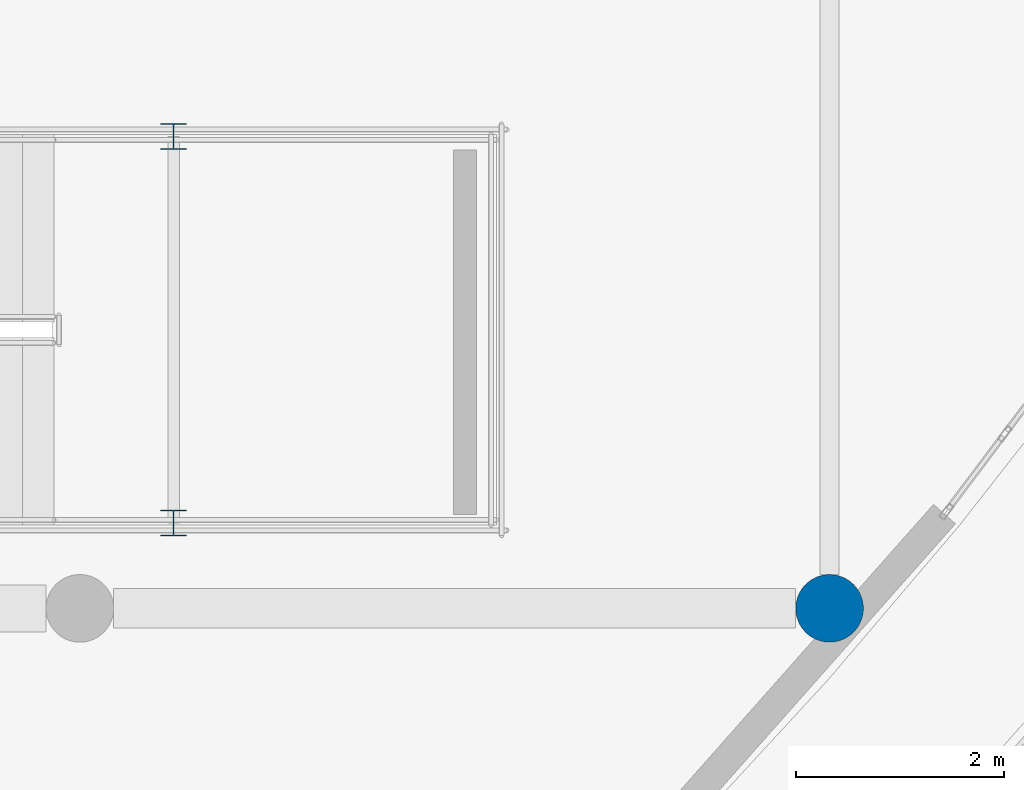
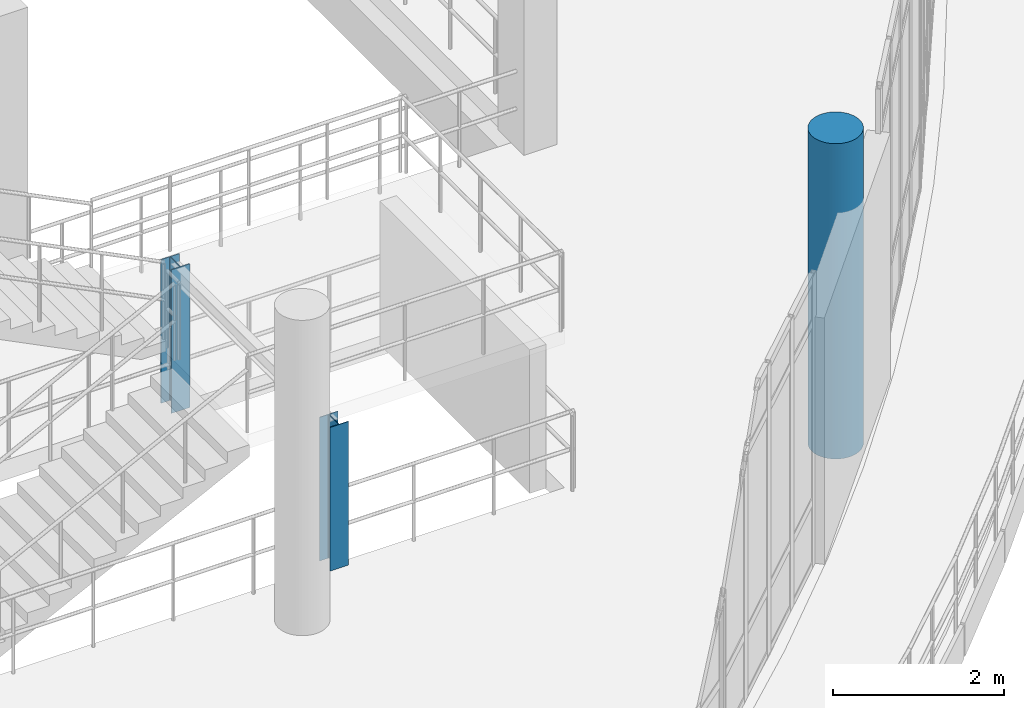
# One storey, part 4 of 124: 3 columns.
"""IFC4 building model written with IfcOpenShell, lengths in metres."""

from ifc_helpers import new_model, si_unit, direction, frame, origin, origin_2d, place, context, subcontext, project, spatial, circle, i_section, extrude, material, material_profile, profile_set, type_object, element, save


model = new_model("IFC4")

# Units and contexts
model_context = context("Model", 3, precision=1e-05, world=origin(), true_north=direction((0.0, 1.0)))
body_context = subcontext(model_context, "Body", "Model", "MODEL_VIEW")
ifc_project = project(units=[si_unit("LENGTHUNIT", "METRE"), si_unit("AREAUNIT", "SQUARE_METRE"), si_unit("VOLUMEUNIT", "CUBIC_METRE"), si_unit("PLANEANGLEUNIT", "RADIAN"), si_unit("MASSUNIT", "GRAM", prefix="KILO")], contexts=[model_context])

# Site, building, storey
site_placement = place(None, origin())
site = spatial("IfcSite", under=ifc_project, at=site_placement, CompositionType="ELEMENT")
building_placement = place(site_placement, origin())
building = spatial("IfcBuilding", under=site, at=building_placement, Name="Kalluvel Institute of Natural Sciences", CompositionType="ELEMENT")
storey_placement = place(building_placement, frame((0.0, 0.0, 9.89990234375)))
storey = spatial("IfcBuildingStorey", under=building, at=storey_placement, Name="L02", CompositionType="ELEMENT", Elevation=9.89990234375)

# Columns
ifc_material_1 = material(Name="Steel E350 Grade 350", Category="steel")
ifc_material_profile_1 = material_profile(ifc_material_1, i_section(OverallWidth=0.25, OverallDepth=0.25, WebThickness=0.0087890625, FlangeThickness=0.009765625, FilletRadius=0.010009765625, at=origin_2d()), Name="ISHB 250")
ifc_profile_set_1 = profile_set([ifc_material_profile_1], Name="Steel E350 Grade 350")
column_type_1 = type_object("IfcColumnType", Name="COL-ISHB250", PredefinedType="COLUMN", material=ifc_profile_set_1)
for number, where, z_axis, x_axis, name in (
    (1, (65.300048828125, 72.419921875, 0.0), (0.0, 0.0, 1.0), (1.0, 0.0, 0.0), "L02 Atrium feature stair landing post S"),
    (2, (65.300048828125, 76.1298828125, 0.0), (0.0, 0.0, 1.0), (1.0, 0.0, 0.0), "L02 Atrium feature stair landing post N"),
):
    element("IfcColumn", number, at=place(storey_placement, frame(where, z_axis=z_axis, x_axis=x_axis)), inside=storey, type_object=column_type_1, Name=name, PredefinedType="COLUMN", context=body_context, shape_type="SweptSolid", body=[
        extrude(i_section(OverallWidth=0.25, OverallDepth=0.25, WebThickness=0.0087890625, FlangeThickness=0.009765625, FilletRadius=0.010009765625, at=origin_2d()), origin(), (0.0, 0.0, 1.0), 2.050048828125),
    ])
ifc_material_2 = material(Name="Concrete M40", Category="concrete")
ifc_material_profile_2 = material_profile(ifc_material_2, circle(Radius=0.324951171875, at=origin_2d()), Name="RCCOL D650")
ifc_profile_set_2 = profile_set([ifc_material_profile_2], Name="Concrete M40")
column_type_2 = type_object("IfcColumnType", Name="COL-RCD650", PredefinedType="COLUMN", material=ifc_profile_set_2)
column_placement = place(storey_placement, frame((71.60009765625, 71.60009765625, 0.0), z_axis=(0.0, 0.0, 1.0), x_axis=(1.0, 0.0, 0.0)))
element("IfcColumn", 3, at=column_placement, inside=storey, type_object=column_type_2, Name="L02 structural column COL-L02-X716-Y716", PredefinedType="COLUMN", context=body_context, shape_type="SweptSolid", body=[
    extrude(circle(Radius=0.324951171875, at=origin_2d()), origin(), (0.0, 0.0, 1.0), 4.5),
])

save(model, "model.ifc")
